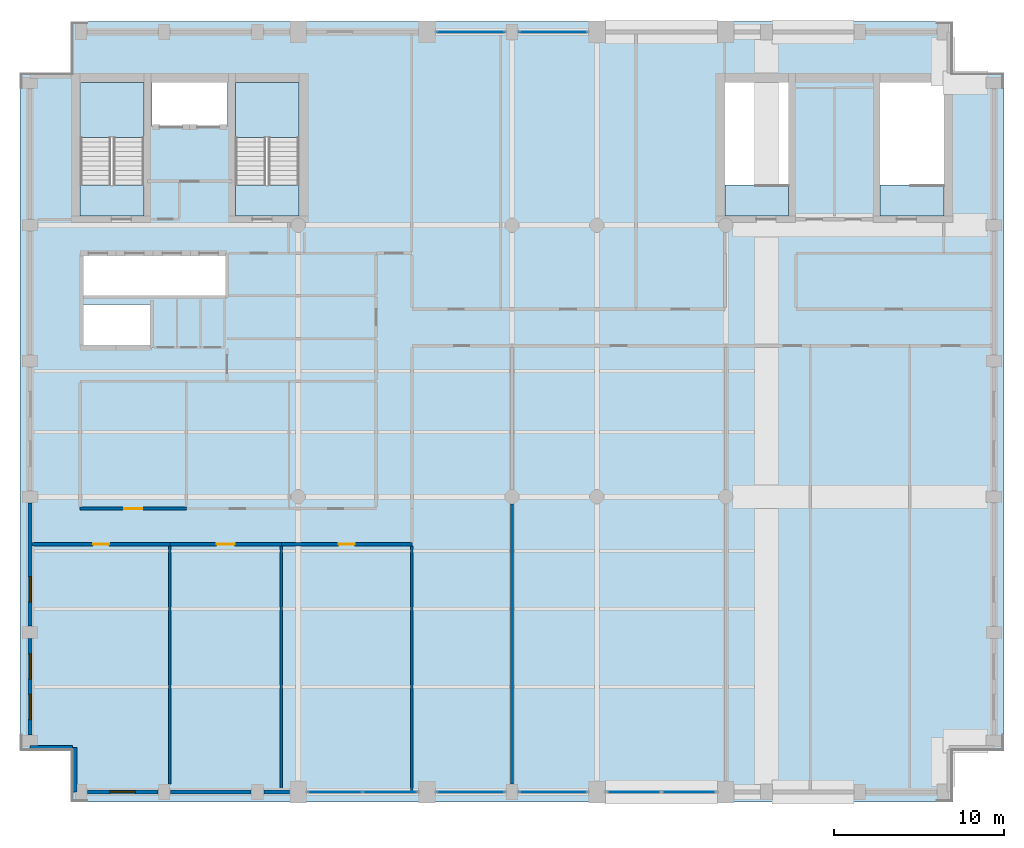
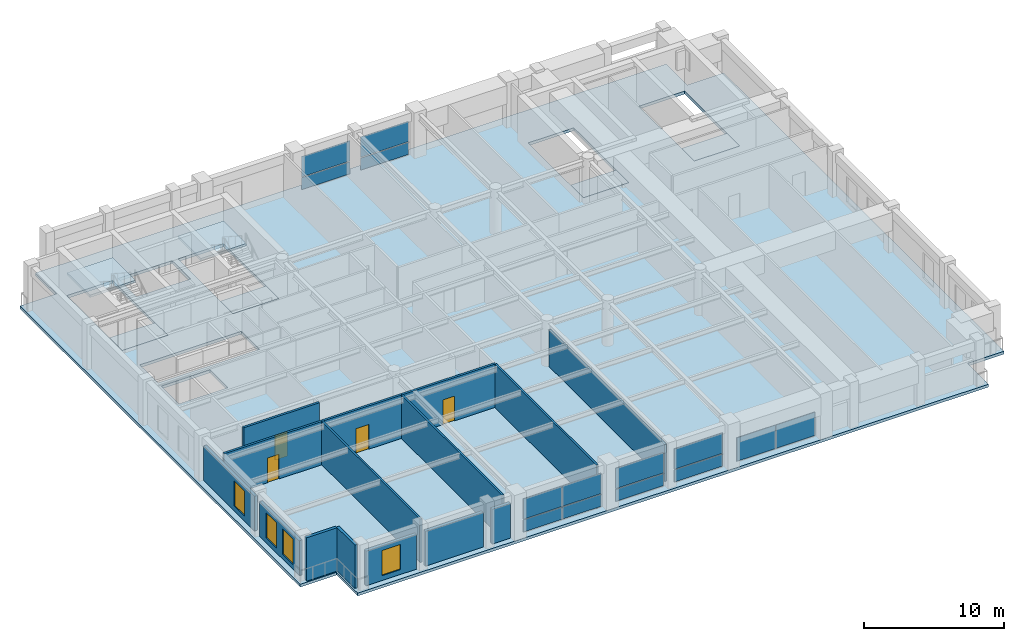
# One storey, part 7 of 14: 15 walls, 14 plates, 7 slabs, 4 doors, 4 windows, 8 openings, 8 elements without a shape of their own.
"""IFC4 building model written with IfcOpenShell, lengths in metres."""

from ifc_helpers import new_model, si_unit, direction, frame, frame_2d, origin, origin_2d, place, context, subcontext, project, spatial, polyline, rectangle, outline, extrude, material, layer, layer_set, type_object, element, fill, aggregate, save


model = new_model("IFC4")

# Units and contexts
model_context = context("Model", 3, precision=1e-05, world=origin(), true_north=direction((0.0, 1.0)))
body_context = subcontext(model_context, "Body", "Model", "MODEL_VIEW")
ifc_project = project(units=[si_unit("LENGTHUNIT", "METRE"), si_unit("AREAUNIT", "SQUARE_METRE"), si_unit("VOLUMEUNIT", "CUBIC_METRE"), si_unit("PLANEANGLEUNIT", "RADIAN"), si_unit("MASSUNIT", "GRAM", prefix="KILO")], contexts=[model_context])

# Site, building, storey
site_placement = place(None, origin())
site = spatial("IfcSite", under=ifc_project, at=site_placement, CompositionType="ELEMENT")
building_placement = place(site_placement, origin())
building = spatial("IfcBuilding", under=site, at=building_placement, Name="Sulina Concourse Tower", CompositionType="ELEMENT")
storey_placement = place(building_placement, frame((0.0, 0.0, 285.0)))
storey = spatial("IfcBuildingStorey", under=building, at=storey_placement, Name="L69", CompositionType="ELEMENT", Elevation=285.0)

# Slabs
ifc_material_1 = material(Name="Concrete C50/60", Category="concrete")
ifc_layer_1 = layer(ifc_material_1, 0.25)
ifc_layer_set_1 = layer_set([ifc_layer_1], Name="Concrete C50/60")
slab_type_1 = type_object("IfcSlabType", Name="High-Rise Composite Floor Slab 250mm", PredefinedType="FLOOR", material=ifc_layer_set_1)
slab_1_placement = place(storey_placement, frame((0.0, 0.0, -0.25)))
element("IfcSlab", 1, at=slab_1_placement, inside=storey, type_object=slab_type_1, Name="L69 structural floor slab", PredefinedType="FLOOR", context=body_context, shape_type="SweptSolid", body=[
    extrude(outline(polyline([(3.0, 0.0), (55.0, 0.0), (55.0, 3.0), (58.0, 3.0), (58.0, 43.0), (55.0, 43.0), (55.0, 46.0), (3.0, 46.0), (3.0, 43.0), (0.0, 43.0), (0.0, 3.0), (3.0, 3.0), (3.0, 0.0)]), holes=[polyline([(7.31005859375, 34.550048828125), (7.31005859375, 42.429931640625), (3.550048828125, 42.429931640625), (3.550048828125, 34.550048828125), (7.31005859375, 34.550048828125)]), polyline([(16.449951171875, 34.550048828125), (16.449951171875, 42.429931640625), (12.68994140625, 42.429931640625), (12.68994140625, 34.550048828125), (16.449951171875, 34.550048828125)]), polyline([(45.31005859375, 34.550048828125), (45.31005859375, 42.429931640625), (41.550048828125, 42.429931640625), (41.550048828125, 34.550048828125), (45.31005859375, 34.550048828125)]), polyline([(54.449951171875, 34.550048828125), (54.449951171875, 42.429931640625), (50.68994140625, 42.429931640625), (50.68994140625, 34.550048828125), (54.449951171875, 34.550048828125)]), polyline([(7.780029296875, 39.830078125), (12.219970703125, 39.830078125), (12.219970703125, 42.449951171875), (7.780029296875, 42.449951171875), (7.780029296875, 39.830078125)]), polyline([(3.739990234375, 26.780029296875), (7.77001953125, 26.780029296875), (7.77001953125, 29.320068359375), (3.739990234375, 29.320068359375), (3.739990234375, 26.780029296875)]), polyline([(3.739990234375, 29.780029296875), (12.10009765625, 29.780029296875), (12.10009765625, 32.3701171875), (3.739990234375, 32.3701171875), (3.739990234375, 29.780029296875)])]), origin(), (0.0, 0.0, 1.0), 0.25),
])
ifc_material_2 = material(Name="Concrete C50/60", Category="concrete")
ifc_layer_2 = layer(ifc_material_2, 0.199951171875)
ifc_layer_set_2 = layer_set([ifc_layer_2], Name="Concrete C50/60")
slab_type_2 = type_object("IfcSlabType", Name="Primary Core Stair Landing Slab 200mm", PredefinedType="LANDING", material=ifc_layer_set_2)
slab_2_placement = place(storey_placement, frame((0.0, 0.0, -0.199951171875)))
element("IfcSlab", 2, at=slab_2_placement, inside=storey, type_object=slab_type_2, Name="L69 ST-1 floor landing slab", PredefinedType="LANDING", context=body_context, shape_type="SweptSolid", body=[
    extrude(outline(polyline([(7.31005859375, 34.550048828125), (7.31005859375, 36.375), (3.550048828125, 36.375), (3.550048828125, 34.550048828125), (7.31005859375, 34.550048828125)])), origin(), (0.0, 0.0, 1.0), 0.199951171875),
])
slab_3_placement = place(storey_placement, frame((0.0, 0.0, -0.199951171875)))
element("IfcSlab", 3, at=slab_3_placement, inside=storey, type_object=slab_type_2, Name="L69 ST-2 floor landing slab", PredefinedType="LANDING", context=body_context, shape_type="SweptSolid", body=[
    extrude(outline(polyline([(16.449951171875, 34.550048828125), (16.449951171875, 36.375), (12.68994140625, 36.375), (12.68994140625, 34.550048828125), (16.449951171875, 34.550048828125)])), origin(), (0.0, 0.0, 1.0), 0.199951171875),
])
slab_4_placement = place(storey_placement, frame((0.0, 0.0, -0.199951171875)))
element("IfcSlab", 4, at=slab_4_placement, inside=storey, type_object=slab_type_2, Name="L69 ST-3 floor landing slab", PredefinedType="LANDING", context=body_context, shape_type="SweptSolid", body=[
    extrude(outline(polyline([(45.31005859375, 34.550048828125), (45.31005859375, 36.375), (41.550048828125, 36.375), (41.550048828125, 34.550048828125), (45.31005859375, 34.550048828125)])), origin(), (0.0, 0.0, 1.0), 0.199951171875),
])
slab_5_placement = place(storey_placement, frame((0.0, 0.0, -0.199951171875)))
element("IfcSlab", 5, at=slab_5_placement, inside=storey, type_object=slab_type_2, Name="L69 ST-4 floor landing slab", PredefinedType="LANDING", context=body_context, shape_type="SweptSolid", body=[
    extrude(outline(polyline([(54.449951171875, 34.550048828125), (54.449951171875, 36.375), (50.68994140625, 36.375), (50.68994140625, 34.550048828125), (54.449951171875, 34.550048828125)])), origin(), (0.0, 0.0, 1.0), 0.199951171875),
])

# Stair, slab
ifc_material_3 = material(Name="Concrete C50/60", Category="concrete")
stair_type = type_object("IfcStairType", Name="Primary Core Dog-Leg Exit Stair 1800mm", PredefinedType="HALF_TURN_STAIR", material=ifc_material_3)
stair_1_placement = place(storey_placement, origin())
stair_1 = element("IfcStair", 6, at=stair_1_placement, inside=storey, type_object=stair_type, Name="L69 ST-1", PredefinedType="HALF_TURN_STAIR")
slab_6_placement = place(storey_placement, frame((0.0, 0.0, 1.800048828125)))
slab_6 = element("IfcSlab", 7, at=slab_6_placement, type_object=slab_type_2, Name="ST-1 landing 1", PredefinedType="LANDING", context=body_context, shape_type="SweptSolid", body=[
    extrude(outline(polyline([(7.304931640625, 39.175048828125), (7.304931640625, 42.425048828125), (3.554931640625, 42.425048828125), (3.554931640625, 39.175048828125), (7.304931640625, 39.175048828125)])), origin(), (0.0, 0.0, 1.0), 0.199951171875),
])
aggregate(stair_1, [slab_6])

stair_2_placement = place(storey_placement, origin())
stair_2 = element("IfcStair", 8, at=stair_2_placement, inside=storey, type_object=stair_type, Name="L69 ST-2", PredefinedType="HALF_TURN_STAIR")
slab_7_placement = place(storey_placement, frame((0.0, 0.0, 1.800048828125)))
slab_7 = element("IfcSlab", 9, at=slab_7_placement, type_object=slab_type_2, Name="ST-2 landing 1", PredefinedType="LANDING", context=body_context, shape_type="SweptSolid", body=[
    extrude(outline(polyline([(16.445068359375, 39.175048828125), (16.445068359375, 42.425048828125), (12.695068359375, 42.425048828125), (12.695068359375, 39.175048828125), (16.445068359375, 39.175048828125)])), origin(), (0.0, 0.0, 1.0), 0.199951171875),
])
aggregate(stair_2, [slab_7])

# Curtain wall, plates
ifc_material_4 = material(Name="Aluminium 6063-T6", Category="aluminium")
ifc_layer_3 = layer(ifc_material_4, 0.22998046875)
ifc_layer_set_3 = layer_set([ifc_layer_3], Name="Aluminium 6063-T6")
curtain_wall_type = type_object("IfcCurtainWallType", Name="Sky-Pool Wellness Lounge Curtain Wall System", PredefinedType="NOTDEFINED", material=ifc_layer_set_3)
curtain_wall_1_placement = place(storey_placement, origin())
curtain_wall_1 = element("IfcCurtainWall", 10, at=curtain_wall_1_placement, inside=storey, type_object=curtain_wall_type, Name="L69 glazed curtain wall S4", PredefinedType="NOTDEFINED")
ifc_material_5 = material(Name="Solar-control wellness glazing", Category="glass")
ifc_layer_4 = layer(ifc_material_5, 0.033935546875)
ifc_layer_set_4 = layer_set([ifc_layer_4], Name="Solar-control wellness glazing")
plate_type = type_object("IfcPlateType", Name="Sky-Pool Wellness Lounge Curtain Wall System Glazed Panel 34mm", PredefinedType="CURTAIN_PANEL", material=ifc_layer_set_4)
plate_1_placement = place(storey_placement, frame((21.822998046875, 0.60009765625, 0.06787109375), z_axis=(0.0, 0.0, 1.0), x_axis=(-1.0, 0.0, 0.0)))
plate_1 = element("IfcPlate", 11, at=plate_1_placement, type_object=plate_type, Name="CW-05 panel 1.1", PredefinedType="CURTAIN_PANEL", context=body_context, shape_type="SweptSolid", body=[
    extrude(rectangle(XDim=3.177978515625, YDim=0.033935546875, at=origin_2d()), origin(), (0.0, 0.0, 1.0), 1.047607421875),
])
plate_2_placement = place(storey_placement, frame((21.822998046875, 0.60009765625, 1.18359375), z_axis=(0.0, 0.0, 1.0), x_axis=(-1.0, 0.0, 0.0)))
plate_2 = element("IfcPlate", 12, at=plate_2_placement, type_object=plate_type, Name="CW-05 panel 1.2", PredefinedType="CURTAIN_PANEL", context=body_context, shape_type="SweptSolid", body=[
    extrude(rectangle(XDim=3.177978515625, YDim=0.033935546875, at=origin_2d()), origin(), (0.0, 0.0, 1.0), 1.7734375),
])
plate_3_placement = place(storey_placement, frame((18.576904296875, 0.60009765625, 0.06787109375), z_axis=(0.0, 0.0, 1.0), x_axis=(-1.0, 0.0, 0.0)))
plate_3 = element("IfcPlate", 13, at=plate_3_placement, type_object=plate_type, Name="CW-05 panel 2.1", PredefinedType="CURTAIN_PANEL", context=body_context, shape_type="SweptSolid", body=[
    extrude(rectangle(XDim=3.177978515625, YDim=0.033935546875, at=origin_2d()), origin(), (0.0, 0.0, 1.0), 1.047607421875),
])
plate_4_placement = place(storey_placement, frame((18.576904296875, 0.60009765625, 1.18359375), z_axis=(0.0, 0.0, 1.0), x_axis=(-1.0, 0.0, 0.0)))
plate_4 = element("IfcPlate", 14, at=plate_4_placement, type_object=plate_type, Name="CW-05 panel 2.2", PredefinedType="CURTAIN_PANEL", context=body_context, shape_type="SweptSolid", body=[
    extrude(rectangle(XDim=3.177978515625, YDim=0.033935546875, at=origin_2d()), origin(), (0.0, 0.0, 1.0), 1.7734375),
])
aggregate(curtain_wall_1, [plate_1, plate_2, plate_3, plate_4])

curtain_wall_2_placement = place(storey_placement, origin())
curtain_wall_2 = element("IfcCurtainWall", 15, at=curtain_wall_2_placement, inside=storey, type_object=curtain_wall_type, Name="L69 glazed curtain wall S5", PredefinedType="NOTDEFINED")
plate_5_placement = place(storey_placement, frame((26.574951171875, 0.60009765625, 0.06787109375), z_axis=(0.0, 0.0, 1.0), x_axis=(-1.0, 0.0, 0.0)))
plate_5 = element("IfcPlate", 16, at=plate_5_placement, type_object=plate_type, Name="CW-05 panel 1.1", PredefinedType="CURTAIN_PANEL", context=body_context, shape_type="SweptSolid", body=[
    extrude(rectangle(XDim=3.97412109375, YDim=0.033935546875, at=origin_2d()), origin(), (0.0, 0.0, 1.0), 1.047607421875),
])
plate_6_placement = place(storey_placement, frame((26.574951171875, 0.60009765625, 1.18359375), z_axis=(0.0, 0.0, 1.0), x_axis=(-1.0, 0.0, 0.0)))
plate_6 = element("IfcPlate", 17, at=plate_6_placement, type_object=plate_type, Name="CW-05 panel 1.2", PredefinedType="CURTAIN_PANEL", context=body_context, shape_type="SweptSolid", body=[
    extrude(rectangle(XDim=3.97412109375, YDim=0.033935546875, at=origin_2d()), origin(), (0.0, 0.0, 1.0), 1.7734375),
])
aggregate(curtain_wall_2, [plate_5, plate_6])

curtain_wall_3_placement = place(storey_placement, origin())
curtain_wall_3 = element("IfcCurtainWall", 18, at=curtain_wall_3_placement, inside=storey, type_object=curtain_wall_type, Name="L69 glazed curtain wall S6", PredefinedType="NOTDEFINED")
plate_7_placement = place(storey_placement, frame((31.425048828125, 0.60009765625, 0.06787109375), z_axis=(0.0, 0.0, 1.0), x_axis=(-1.0, 0.0, 0.0)))
plate_7 = element("IfcPlate", 19, at=plate_7_placement, type_object=plate_type, Name="CW-05 panel 1.1", PredefinedType="CURTAIN_PANEL", context=body_context, shape_type="SweptSolid", body=[
    extrude(rectangle(XDim=3.97412109375, YDim=0.033935546875, at=origin_2d()), origin(), (0.0, 0.0, 1.0), 1.047607421875),
])
plate_8_placement = place(storey_placement, frame((31.425048828125, 0.60009765625, 1.18359375), z_axis=(0.0, 0.0, 1.0), x_axis=(-1.0, 0.0, 0.0)))
plate_8 = element("IfcPlate", 20, at=plate_8_placement, type_object=plate_type, Name="CW-05 panel 1.2", PredefinedType="CURTAIN_PANEL", context=body_context, shape_type="SweptSolid", body=[
    extrude(rectangle(XDim=3.97412109375, YDim=0.033935546875, at=origin_2d()), origin(), (0.0, 0.0, 1.0), 1.7734375),
])
aggregate(curtain_wall_3, [plate_7, plate_8])

curtain_wall_4_placement = place(storey_placement, origin())
curtain_wall_4 = element("IfcCurtainWall", 21, at=curtain_wall_4_placement, inside=storey, type_object=curtain_wall_type, Name="L69 glazed curtain wall S7", PredefinedType="NOTDEFINED")
plate_9_placement = place(storey_placement, frame((39.423095703125, 0.60009765625, 0.06787109375), z_axis=(0.0, 0.0, 1.0), x_axis=(-1.0, 0.0, 0.0)))
plate_9 = element("IfcPlate", 22, at=plate_9_placement, type_object=plate_type, Name="CW-05 panel 1.1", PredefinedType="CURTAIN_PANEL", context=body_context, shape_type="SweptSolid", body=[
    extrude(rectangle(XDim=3.177978515625, YDim=0.033935546875, at=origin_2d()), origin(), (0.0, 0.0, 1.0), 2.0390625),
])
plate_10_placement = place(storey_placement, frame((36.177001953125, 0.60009765625, 0.06787109375), z_axis=(0.0, 0.0, 1.0), x_axis=(-1.0, 0.0, 0.0)))
plate_10 = element("IfcPlate", 23, at=plate_10_placement, type_object=plate_type, Name="CW-05 panel 2.1", PredefinedType="CURTAIN_PANEL", context=body_context, shape_type="SweptSolid", body=[
    extrude(rectangle(XDim=3.177978515625, YDim=0.033935546875, at=origin_2d()), origin(), (0.0, 0.0, 1.0), 2.0390625),
])
aggregate(curtain_wall_4, [plate_9, plate_10])

curtain_wall_5_placement = place(storey_placement, origin())
curtain_wall_5 = element("IfcCurtainWall", 24, at=curtain_wall_5_placement, inside=storey, type_object=curtain_wall_type, Name="L69 glazed curtain wall N5", PredefinedType="NOTDEFINED")
plate_11_placement = place(storey_placement, frame((26.574951171875, 45.39990234375, 0.06787109375), z_axis=(0.0, 0.0, 1.0), x_axis=(1.0, 0.0, 0.0)))
plate_11 = element("IfcPlate", 25, at=plate_11_placement, type_object=plate_type, Name="CW-05 panel 1.1", PredefinedType="CURTAIN_PANEL", context=body_context, shape_type="SweptSolid", body=[
    extrude(rectangle(XDim=3.97412109375, YDim=0.033935546875, at=origin_2d()), origin(), (0.0, 0.0, 1.0), 1.047607421875),
])
plate_12_placement = place(storey_placement, frame((26.574951171875, 45.39990234375, 1.18359375), z_axis=(0.0, 0.0, 1.0), x_axis=(1.0, 0.0, 0.0)))
plate_12 = element("IfcPlate", 26, at=plate_12_placement, type_object=plate_type, Name="CW-05 panel 1.2", PredefinedType="CURTAIN_PANEL", context=body_context, shape_type="SweptSolid", body=[
    extrude(rectangle(XDim=3.97412109375, YDim=0.033935546875, at=origin_2d()), origin(), (0.0, 0.0, 1.0), 1.7734375),
])
aggregate(curtain_wall_5, [plate_11, plate_12])

curtain_wall_6_placement = place(storey_placement, origin())
curtain_wall_6 = element("IfcCurtainWall", 27, at=curtain_wall_6_placement, inside=storey, type_object=curtain_wall_type, Name="L69 glazed curtain wall N6", PredefinedType="NOTDEFINED")
plate_13_placement = place(storey_placement, frame((31.425048828125, 45.39990234375, 0.06787109375), z_axis=(0.0, 0.0, 1.0), x_axis=(1.0, 0.0, 0.0)))
plate_13 = element("IfcPlate", 28, at=plate_13_placement, type_object=plate_type, Name="CW-05 panel 1.1", PredefinedType="CURTAIN_PANEL", context=body_context, shape_type="SweptSolid", body=[
    extrude(rectangle(XDim=3.97412109375, YDim=0.033935546875, at=origin_2d()), origin(), (0.0, 0.0, 1.0), 1.047607421875),
])
plate_14_placement = place(storey_placement, frame((31.425048828125, 45.39990234375, 1.18359375), z_axis=(0.0, 0.0, 1.0), x_axis=(1.0, 0.0, 0.0)))
plate_14 = element("IfcPlate", 29, at=plate_14_placement, type_object=plate_type, Name="CW-05 panel 1.2", PredefinedType="CURTAIN_PANEL", context=body_context, shape_type="SweptSolid", body=[
    extrude(rectangle(XDim=3.97412109375, YDim=0.033935546875, at=origin_2d()), origin(), (0.0, 0.0, 1.0), 1.7734375),
])
aggregate(curtain_wall_6, [plate_13, plate_14])

# Wall, opening, window
ifc_material_6 = material(Name="Precast concrete C50/60", Category="concrete")
ifc_layer_5 = layer(ifc_material_6, 0.239990234375)
ifc_layer_set_5 = layer_set([ifc_layer_5], Name="Precast concrete C50/60")
wall_type_1 = type_object("IfcWallType", Name="Crown Precast Masonry-Frame Facade Wall 240mm", PredefinedType="SOLIDWALL", material=ifc_layer_set_5)
wall_1_placement = place(storey_placement, frame((8.1298828125, 0.60009765625, 0.0), z_axis=(0.0, 0.0, 1.0), x_axis=(-1.0, 0.0, 0.0)))
wall_1 = element("IfcWall", 30, at=wall_1_placement, inside=storey, type_object=wall_type_1, Name="L69 exterior precast wall S1", PredefinedType="SOLIDWALL", context=body_context, shape_type="SweptSolid", body=[
    extrude(rectangle(XDim=4.159912109375, YDim=0.239990234375, at=frame_2d((2.080078125, 0.0))), origin(), (0.0, 0.0, 1.0), 3.02490234375),
])
opening_1_placement = place(wall_1_placement, frame((1.330078125, 0.0, 0.419921875)))
opening_1 = element("IfcOpeningElement", 31, at=opening_1_placement, cuts=wall_1, Name="Opening WN-71", PredefinedType="OPENING", context=body_context, shape_type="SweptSolid", body=[
    extrude(rectangle(XDim=1.5, YDim=2.199951171875, at=frame_2d((0.75, 1.10009765625))), frame((0.0, 0.1298828125, 0.0), z_axis=(0.0, -1.0, 0.0), x_axis=(1.0, 0.0, 0.0)), (0.0, 0.0, 1.0), 0.260009765625),
])
ifc_material_7 = material(Name="Low-E solar double glazing in bronze aluminium", Category="aluminium")
window_type = type_object("IfcWindowType", Name="Punched Masonry-Frame Window 1500x2200", PartitioningType="SINGLE_PANEL", PredefinedType="WINDOW", material=ifc_material_7)
window_1_placement = place(opening_1_placement, origin())
window_1 = element("IfcWindow", 32, at=window_1_placement, inside=storey, type_object=window_type, Name="L69 punched window S1-1", OverallHeight=2.199951171875, OverallWidth=1.5, PartitioningType="SINGLE_PANEL", PredefinedType="WINDOW", context=body_context, shape_type="SweptSolid", body=[
    extrude(rectangle(XDim=1.5, YDim=2.199951171875, at=frame_2d((0.75, 1.10009765625))), frame((0.0, 0.030029296875, 0.0), z_axis=(0.0, -1.0, 0.0), x_axis=(1.0, 0.0, 0.0)), (0.0, 0.0, 1.0), 0.06005859375),
])
fill(opening_1, window_1)

# Walls
wall_2_placement = place(storey_placement, frame((13.6298828125, 0.60009765625, 0.0), z_axis=(0.0, 0.0, 1.0), x_axis=(-1.0, 0.0, 0.0)))
element("IfcWall", 33, at=wall_2_placement, inside=storey, type_object=wall_type_1, Name="L69 exterior precast wall S2", PredefinedType="SOLIDWALL", context=body_context, shape_type="SweptSolid", body=[
    extrude(rectangle(XDim=4.759765625, YDim=0.239990234375, at=frame_2d((2.3798828125, 0.0))), origin(), (0.0, 0.0, 1.0), 3.02490234375),
])
wall_3_placement = place(storey_placement, frame((15.8798828125, 0.60009765625, 0.0), z_axis=(0.0, 0.0, 1.0), x_axis=(-1.0, 0.0, 0.0)))
element("IfcWall", 34, at=wall_3_placement, inside=storey, type_object=wall_type_1, Name="L69 exterior precast wall S3", PredefinedType="SOLIDWALL", context=body_context, shape_type="SweptSolid", body=[
    extrude(rectangle(XDim=1.509765625, YDim=0.239990234375, at=frame_2d((0.7548828125, 0.0))), origin(), (0.0, 0.0, 1.0), 3.02490234375),
])

# Wall, openings, windows
wall_4_placement = place(storey_placement, frame((0.60009765625, 3.969970703125, 0.0), z_axis=(0.0, 0.0, 1.0), x_axis=(0.0, 1.0, 0.0)))
wall_4 = element("IfcWall", 35, at=wall_4_placement, inside=storey, type_object=wall_type_1, Name="L69 exterior precast wall W1", PredefinedType="SOLIDWALL", context=body_context, shape_type="SweptSolid", body=[
    extrude(rectangle(XDim=5.659912109375, YDim=0.239990234375, at=frame_2d((2.830078125, 0.0))), origin(), (0.0, 0.0, 1.0), 3.02490234375),
])
opening_2_placement = place(wall_4_placement, frame((0.88671875, 0.0, 0.419921875)))
opening_2 = element("IfcOpeningElement", 36, at=opening_2_placement, cuts=wall_4, Name="Opening WN-71", PredefinedType="OPENING", context=body_context, shape_type="SweptSolid", body=[
    extrude(rectangle(XDim=1.5, YDim=2.199951171875, at=frame_2d((0.75, 1.10009765625))), frame((0.0, 0.1298828125, 0.0), z_axis=(0.0, -1.0, 0.0), x_axis=(1.0, 0.0, 0.0)), (0.0, 0.0, 1.0), 0.260009765625),
])
opening_3_placement = place(wall_4_placement, frame((3.273193359375, 0.0, 0.419921875)))
opening_3 = element("IfcOpeningElement", 37, at=opening_3_placement, cuts=wall_4, Name="Opening WN-71", PredefinedType="OPENING", context=body_context, shape_type="SweptSolid", body=[
    extrude(rectangle(XDim=1.5, YDim=2.199951171875, at=frame_2d((0.75, 1.10009765625))), frame((0.0, 0.1298828125, 0.0), z_axis=(0.0, -1.0, 0.0), x_axis=(1.0, 0.0, 0.0)), (0.0, 0.0, 1.0), 0.260009765625),
])
window_2_placement = place(opening_2_placement, origin())
window_2 = element("IfcWindow", 38, at=window_2_placement, inside=storey, type_object=window_type, Name="L69 punched window W1-1", OverallHeight=2.199951171875, OverallWidth=1.5, PartitioningType="SINGLE_PANEL", PredefinedType="WINDOW", context=body_context, shape_type="SweptSolid", body=[
    extrude(rectangle(XDim=1.5, YDim=2.199951171875, at=frame_2d((0.75, 1.10009765625))), frame((0.0, 0.030029296875, 0.0), z_axis=(0.0, -1.0, 0.0), x_axis=(1.0, 0.0, 0.0)), (0.0, 0.0, 1.0), 0.06005859375),
])
fill(opening_2, window_2)
window_3_placement = place(opening_3_placement, origin())
window_3 = element("IfcWindow", 39, at=window_3_placement, inside=storey, type_object=window_type, Name="L69 punched window W1-2", OverallHeight=2.199951171875, OverallWidth=1.5, PartitioningType="SINGLE_PANEL", PredefinedType="WINDOW", context=body_context, shape_type="SweptSolid", body=[
    extrude(rectangle(XDim=1.5, YDim=2.199951171875, at=frame_2d((0.75, 1.10009765625))), frame((0.0, 0.030029296875, 0.0), z_axis=(0.0, -1.0, 0.0), x_axis=(1.0, 0.0, 0.0)), (0.0, 0.0, 1.0), 0.06005859375),
])
fill(opening_3, window_3)

# Wall, opening, window
wall_5_placement = place(storey_placement, frame((0.60009765625, 10.3701171875, 0.0), z_axis=(0.0, 0.0, 1.0), x_axis=(0.0, 1.0, 0.0)))
wall_5 = element("IfcWall", 40, at=wall_5_placement, inside=storey, type_object=wall_type_1, Name="L69 exterior precast wall W2", PredefinedType="SOLIDWALL", context=body_context, shape_type="SweptSolid", body=[
    extrude(rectangle(XDim=7.259765625, YDim=0.239990234375, at=frame_2d((3.6298828125, 0.0))), origin(), (0.0, 0.0, 1.0), 3.02490234375),
])
opening_4_placement = place(wall_5_placement, frame((1.419921875, 0.0, 0.419921875)))
opening_4 = element("IfcOpeningElement", 41, at=opening_4_placement, cuts=wall_5, Name="Opening WN-71", PredefinedType="OPENING", context=body_context, shape_type="SweptSolid", body=[
    extrude(rectangle(XDim=1.5, YDim=2.199951171875, at=frame_2d((0.75, 1.10009765625))), frame((0.0, 0.1298828125, 0.0), z_axis=(0.0, -1.0, 0.0), x_axis=(1.0, 0.0, 0.0)), (0.0, 0.0, 1.0), 0.260009765625),
])
window_4_placement = place(opening_4_placement, origin())
window_4 = element("IfcWindow", 42, at=window_4_placement, inside=storey, type_object=window_type, Name="L69 punched window W2-1", OverallHeight=2.199951171875, OverallWidth=1.5, PartitioningType="SINGLE_PANEL", PredefinedType="WINDOW", context=body_context, shape_type="SweptSolid", body=[
    extrude(rectangle(XDim=1.5, YDim=2.199951171875, at=frame_2d((0.75, 1.10009765625))), frame((0.0, 0.030029296875, 0.0), z_axis=(0.0, -1.0, 0.0), x_axis=(1.0, 0.0, 0.0)), (0.0, 0.0, 1.0), 0.06005859375),
])
fill(opening_4, window_4)

# Walls
wall_6_placement = place(storey_placement, frame((3.22998046875, 0.60009765625, 0.0), z_axis=(0.0, 0.0, 1.0), x_axis=(0.0, 1.0, 0.0)))
element("IfcWall", 43, at=wall_6_placement, inside=storey, type_object=wall_type_1, Name="L69 exterior precast wall CSW1", PredefinedType="SOLIDWALL", context=body_context, shape_type="SweptSolid", body=[
    extrude(rectangle(XDim=2.6298828125, YDim=0.239990234375, at=frame_2d((1.31494140625, 0.0))), origin(), (0.0, 0.0, 1.0), 3.77490234375),
])
wall_7_placement = place(storey_placement, frame((3.10498046875, 3.22998046875, 0.0), z_axis=(0.0, 0.0, 1.0), x_axis=(-1.0, 0.0, 0.0)))
element("IfcWall", 44, at=wall_7_placement, inside=storey, type_object=wall_type_1, Name="L69 exterior precast wall CSW2", PredefinedType="SOLIDWALL", context=body_context, shape_type="SweptSolid", body=[
    extrude(rectangle(XDim=2.5048828125, YDim=0.239990234375, at=frame_2d((1.25244140625, 0.0))), origin(), (0.0, 0.0, 1.0), 3.77490234375),
])
ifc_material_8 = material(Name="Gypsum board on steel stud", Category="steel")
ifc_layer_6 = layer(ifc_material_8, 0.14990234375)
ifc_layer_set_6 = layer_set([ifc_layer_6], Name="Gypsum board on steel stud")
wall_type_2 = type_object("IfcWallType", Name="Inter-Tenancy Acoustic Partition 150mm", PredefinedType="PARTITIONING", material=ifc_layer_set_6)
wall_8_placement = place(storey_placement, frame((8.840087890625, 1.074951171875, 0.0), z_axis=(0.0, 0.0, 1.0), x_axis=(0.0, 1.0, 0.0)))
element("IfcWall", 45, at=wall_8_placement, inside=storey, type_object=wall_type_2, Name="L69 interior partition 036", PredefinedType="PARTITIONING", context=body_context, shape_type="SweptSolid", body=[
    extrude(rectangle(XDim=14.03515625, YDim=0.14990234375, at=frame_2d((7.017578125, 0.0))), origin(), (0.0, 0.0, 1.0), 3.77490234375),
])
wall_9_placement = place(storey_placement, frame((15.39990234375, 0.719970703125, 0.0), z_axis=(0.0, 0.0, 1.0), x_axis=(0.0, 1.0, 0.0)))
element("IfcWall", 46, at=wall_9_placement, inside=storey, type_object=wall_type_2, Name="L69 interior partition 043", PredefinedType="PARTITIONING", context=body_context, shape_type="SweptSolid", body=[
    extrude(rectangle(XDim=14.39013671875, YDim=0.14990234375, at=frame_2d((7.195068359375, 0.0))), origin(), (0.0, 0.0, 1.0), 3.77490234375),
])
wall_10_placement = place(storey_placement, frame((23.10009765625, 0.60009765625, 0.0), z_axis=(0.0, 0.0, 1.0), x_axis=(0.0, 1.0, 0.0)))
element("IfcWall", 47, at=wall_10_placement, inside=storey, type_object=wall_type_2, Name="L69 interior partition 051", PredefinedType="PARTITIONING", context=body_context, shape_type="SweptSolid", body=[
    extrude(rectangle(XDim=14.510009765625, YDim=0.14990234375, at=frame_2d((7.2548828125, 0.0))), origin(), (0.0, 0.0, 1.0), 3.77490234375),
])
wall_11_placement = place(storey_placement, frame((29.0, 1.074951171875, 0.0), z_axis=(0.0, 0.0, 1.0), x_axis=(0.0, 1.0, 0.0)))
element("IfcWall", 48, at=wall_11_placement, inside=storey, type_object=wall_type_2, Name="L69 interior partition 057", PredefinedType="PARTITIONING", context=body_context, shape_type="SweptSolid", body=[
    extrude(rectangle(XDim=16.5, YDim=0.14990234375, at=frame_2d((8.25, 0.0))), origin(), (0.0, 0.0, 1.0), 3.219970703125),
])

# Wall, opening, door
ifc_material_9 = material(Name="Gypsum board on steel stud", Category="steel")
ifc_layer_7 = layer(ifc_material_9, 0.179931640625)
ifc_layer_set_7 = layer_set([ifc_layer_7], Name="Gypsum board on steel stud")
wall_type_3 = type_object("IfcWallType", Name="Protected Corridor & Riser Partition 180mm", PredefinedType="PARTITIONING", material=ifc_layer_set_7)
wall_12_placement = place(storey_placement, frame((0.719970703125, 15.199951171875, 0.0), z_axis=(0.0, 0.0, 1.0), x_axis=(1.0, 0.0, 0.0)))
wall_12 = element("IfcWall", 49, at=wall_12_placement, inside=storey, type_object=wall_type_3, Name="L69 interior partition 001", PredefinedType="PARTITIONING", context=body_context, shape_type="SweptSolid", body=[
    extrude(rectangle(XDim=8.1201171875, YDim=0.179931640625, at=frame_2d((4.06005859375, 0.0))), origin(), (0.0, 0.0, 1.0), 3.77490234375),
])
opening_5_placement = place(wall_12_placement, frame((3.5849609375, 0.0, 0.0)))
opening_5 = element("IfcOpeningElement", 50, at=opening_5_placement, cuts=wall_12, Name="Opening DR-19", PredefinedType="OPENING", context=body_context, shape_type="SweptSolid", body=[
    extrude(rectangle(XDim=0.949951171875, YDim=2.14990234375, at=frame_2d((0.47509765625, 1.074951171875))), frame((0.0, 0.099853515625, 0.0), z_axis=(0.0, -1.0, 0.0), x_axis=(1.0, 0.0, 0.0)), (0.0, 0.0, 1.0), 0.199951171875),
])
ifc_material_10 = material(Name="Oak-veneered acoustic timber leaf", Category="wood")
ifc_layer_8 = layer(ifc_material_10, 0.050048828125)
ifc_layer_set_8 = layer_set([ifc_layer_8], Name="Oak-veneered acoustic timber leaf")
door_type_1 = type_object("IfcDoorType", Name="Cellular Office & Meeting Door 950x2150", OperationType="NOTDEFINED", PredefinedType="DOOR", material=ifc_layer_set_8)
door_1_placement = place(opening_5_placement, origin())
door_1 = element("IfcDoor", 51, at=door_1_placement, inside=storey, type_object=door_type_1, Name="L69 interior door L69-S01", OperationType="SINGLE_SWING_LEFT", OverallHeight=2.14990234375, OverallWidth=0.949951171875, PredefinedType="DOOR", context=body_context, shape_type="SweptSolid", body=[
    extrude(rectangle(XDim=0.949951171875, YDim=2.14990234375, at=frame_2d((0.47509765625, 1.074951171875))), frame((0.0, 0.02490234375, 0.0), z_axis=(0.0, -1.0, 0.0), x_axis=(1.0, 0.0, 0.0)), (0.0, 0.0, 1.0), 0.050048828125),
])
fill(opening_5, door_1)

wall_13_placement = place(storey_placement, frame((8.840087890625, 15.199951171875, 0.0), z_axis=(0.0, 0.0, 1.0), x_axis=(1.0, 0.0, 0.0)))
wall_13 = element("IfcWall", 52, at=wall_13_placement, inside=storey, type_object=wall_type_3, Name="L69 interior partition 002", PredefinedType="PARTITIONING", context=body_context, shape_type="SweptSolid", body=[
    extrude(rectangle(XDim=6.559814453125, YDim=0.179931640625, at=frame_2d((3.27978515625, 0.0))), origin(), (0.0, 0.0, 1.0), 3.77490234375),
])
opening_6_placement = place(wall_13_placement, frame((2.7548828125, 0.0, 0.0)))
opening_6 = element("IfcOpeningElement", 53, at=opening_6_placement, cuts=wall_13, Name="Opening DR-37", PredefinedType="OPENING", context=body_context, shape_type="SweptSolid", body=[
    extrude(rectangle(XDim=1.050048828125, YDim=2.14990234375, at=frame_2d((0.52490234375, 1.074951171875))), frame((0.0, 0.099853515625, 0.0), z_axis=(0.0, -1.0, 0.0), x_axis=(1.0, 0.0, 0.0)), (0.0, 0.0, 1.0), 0.199951171875),
])
ifc_material_11 = material(Name="Oak-veneered fire door leaf")
ifc_layer_9 = layer(ifc_material_11, 0.050048828125)
ifc_layer_set_9 = layer_set([ifc_layer_9], Name="Oak-veneered fire door leaf")
door_type_2 = type_object("IfcDoorType", Name="Tenant Suite Entrance Fire Door 1050x2150", OperationType="NOTDEFINED", PredefinedType="DOOR", material=ifc_layer_set_9)
door_2_placement = place(opening_6_placement, origin())
door_2 = element("IfcDoor", 54, at=door_2_placement, inside=storey, type_object=door_type_2, Name="L69 interior door L69-S02A", OperationType="SINGLE_SWING_RIGHT", OverallHeight=2.14990234375, OverallWidth=1.050048828125, PredefinedType="DOOR", context=body_context, shape_type="SweptSolid", body=[
    extrude(rectangle(XDim=1.050048828125, YDim=2.14990234375, at=frame_2d((0.52490234375, 1.074951171875))), frame((0.0, 0.02490234375, 0.0), z_axis=(0.0, -1.0, 0.0), x_axis=(1.0, 0.0, 0.0)), (0.0, 0.0, 1.0), 0.050048828125),
])
fill(opening_6, door_2)

wall_14_placement = place(storey_placement, frame((15.39990234375, 15.199951171875, 0.0), z_axis=(0.0, 0.0, 1.0), x_axis=(1.0, 0.0, 0.0)))
wall_14 = element("IfcWall", 55, at=wall_14_placement, inside=storey, type_object=wall_type_3, Name="L69 interior partition 003", PredefinedType="PARTITIONING", context=body_context, shape_type="SweptSolid", body=[
    extrude(rectangle(XDim=7.7001953125, YDim=0.179931640625, at=frame_2d((3.85009765625, 0.0))), origin(), (0.0, 0.0, 1.0), 3.77490234375),
])
opening_7_placement = place(wall_14_placement, frame((3.375, 0.0, 0.0)))
opening_7 = element("IfcOpeningElement", 56, at=opening_7_placement, cuts=wall_14, Name="Opening DR-19", PredefinedType="OPENING", context=body_context, shape_type="SweptSolid", body=[
    extrude(rectangle(XDim=0.949951171875, YDim=2.14990234375, at=frame_2d((0.47509765625, 1.074951171875))), frame((0.0, 0.099853515625, 0.0), z_axis=(0.0, -1.0, 0.0), x_axis=(1.0, 0.0, 0.0)), (0.0, 0.0, 1.0), 0.199951171875),
])
door_3_placement = place(opening_7_placement, origin())
door_3 = element("IfcDoor", 57, at=door_3_placement, inside=storey, type_object=door_type_1, Name="L69 interior door L69-S02B", OperationType="SINGLE_SWING_LEFT", OverallHeight=2.14990234375, OverallWidth=0.949951171875, PredefinedType="DOOR", context=body_context, shape_type="SweptSolid", body=[
    extrude(rectangle(XDim=0.949951171875, YDim=2.14990234375, at=frame_2d((0.47509765625, 1.074951171875))), frame((0.0, 0.02490234375, 0.0), z_axis=(0.0, -1.0, 0.0), x_axis=(1.0, 0.0, 0.0)), (0.0, 0.0, 1.0), 0.050048828125),
])
fill(opening_7, door_3)

wall_15_placement = place(storey_placement, frame((3.550048828125, 17.300048828125, 0.0), z_axis=(0.0, 0.0, 1.0), x_axis=(1.0, 0.0, 0.0)))
wall_15 = element("IfcWall", 58, at=wall_15_placement, inside=storey, type_object=wall_type_3, Name="L69 interior partition 004", PredefinedType="PARTITIONING", context=body_context, shape_type="SweptSolid", body=[
    extrude(rectangle(XDim=6.25, YDim=0.179931640625, at=frame_2d((3.125, 0.0))), origin(), (0.0, 0.0, 1.0), 3.77490234375),
])
opening_8_placement = place(wall_15_placement, frame((2.60009765625, 0.0, 0.0)))
opening_8 = element("IfcOpeningElement", 59, at=opening_8_placement, cuts=wall_15, Name="Opening DR-37", PredefinedType="OPENING", context=body_context, shape_type="SweptSolid", body=[
    extrude(rectangle(XDim=1.050048828125, YDim=2.14990234375, at=frame_2d((0.52490234375, 1.074951171875))), frame((0.0, 0.099853515625, 0.0), z_axis=(0.0, -1.0, 0.0), x_axis=(1.0, 0.0, 0.0)), (0.0, 0.0, 1.0), 0.199951171875),
])
door_4_placement = place(opening_8_placement, origin())
door_4 = element("IfcDoor", 60, at=door_4_placement, inside=storey, type_object=door_type_2, Name="L69 interior door L69-LR-MRG1", OperationType="SINGLE_SWING_RIGHT", OverallHeight=2.14990234375, OverallWidth=1.050048828125, PredefinedType="DOOR", context=body_context, shape_type="SweptSolid", body=[
    extrude(rectangle(XDim=1.050048828125, YDim=2.14990234375, at=frame_2d((0.52490234375, 1.074951171875))), frame((0.0, 0.02490234375, 0.0), z_axis=(0.0, -1.0, 0.0), x_axis=(1.0, 0.0, 0.0)), (0.0, 0.0, 1.0), 0.050048828125),
])
fill(opening_8, door_4)

save(model, "model.ifc")
